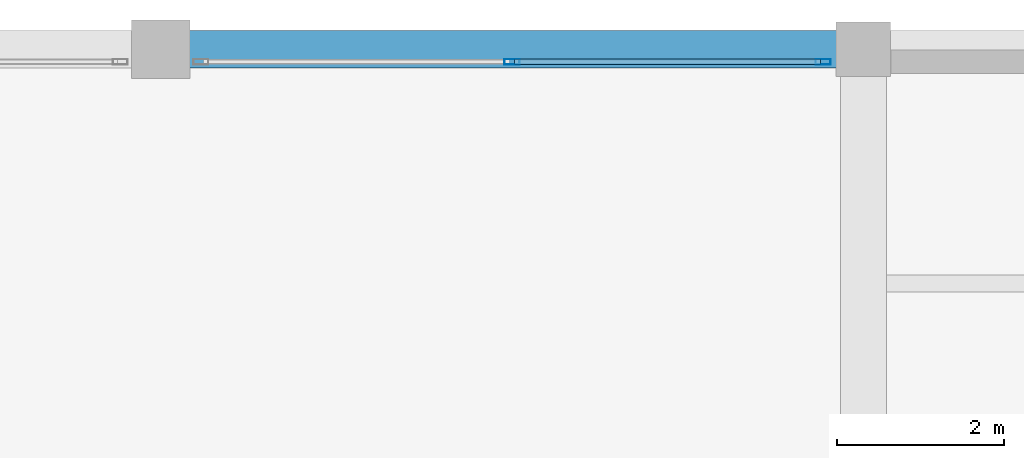
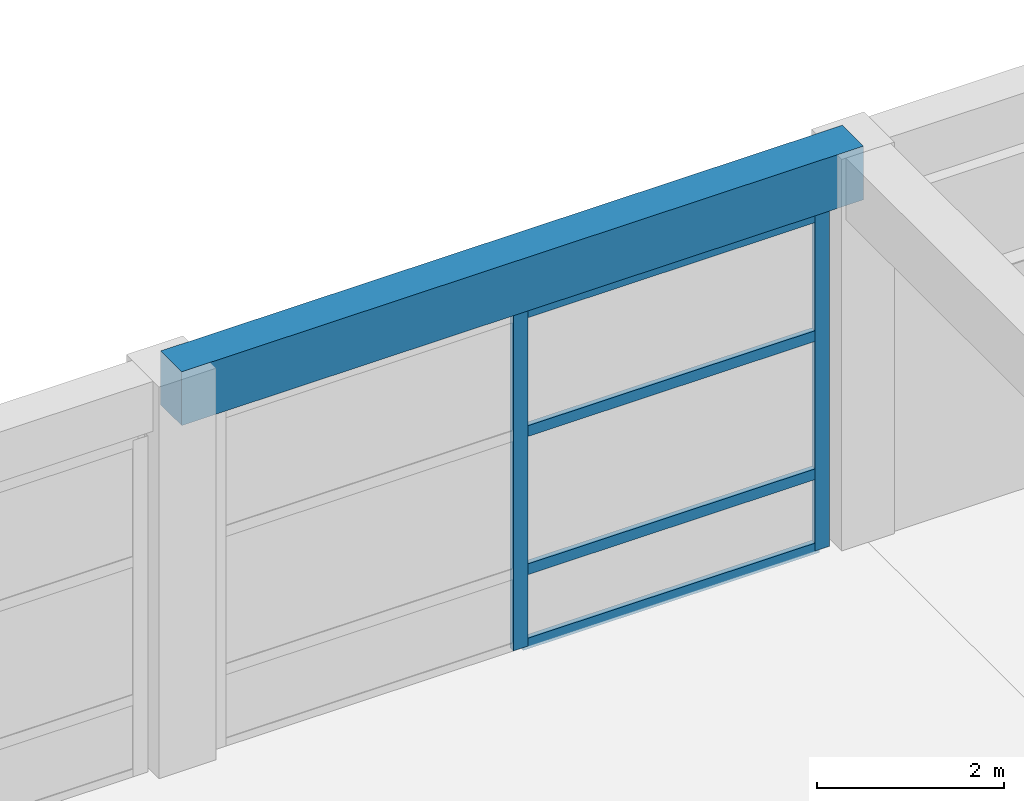
# One storey, part 28 of 65: 6 members, 1 beam, 1 element without a shape of its own.
"""IFC4 building model written with IfcOpenShell, lengths in metres."""

from ifc_helpers import new_model, si_unit, direction, frame, origin, origin_2d, place, context, subcontext, project, spatial, rectangle, hollow_rectangle, extrude, material, material_profile, profile_set, type_object, element, aggregate, save


model = new_model("IFC4")

# Units and contexts
model_context = context("Model", 3, precision=1e-05, world=origin(), true_north=direction((0.0, 1.0)))
body_context = subcontext(model_context, "Body", "Model", "MODEL_VIEW")
ifc_project = project(units=[si_unit("LENGTHUNIT", "METRE"), si_unit("AREAUNIT", "SQUARE_METRE"), si_unit("VOLUMEUNIT", "CUBIC_METRE"), si_unit("PLANEANGLEUNIT", "RADIAN"), si_unit("MASSUNIT", "GRAM", prefix="KILO")], contexts=[model_context])

# Site, building, storey
site_placement = place(None, origin())
site = spatial("IfcSite", under=ifc_project, at=site_placement, CompositionType="ELEMENT")
building_placement = place(site_placement, origin())
building = spatial("IfcBuilding", under=site, at=building_placement, Name="Almacenes y Pasaje Nevantli", CompositionType="ELEMENT")
storey_placement = place(building_placement, frame((0.0, 0.0, 16.800048828125)))
storey = spatial("IfcBuildingStorey", under=building, at=storey_placement, Name="L04", CompositionType="ELEMENT", Elevation=16.800048828125)

# Beam
ifc_material_1 = material(Name="Concrete C35/45", Category="concrete")
ifc_material_profile_1 = material_profile(ifc_material_1, rectangle(XDim=0.449951171875, YDim=0.699951171875, at=origin_2d()), Name="RC-BM-450x700")
ifc_profile_set_1 = profile_set([ifc_material_profile_1], Name="Concrete C35/45")
beam_type = type_object("IfcBeamType", Name="BM-RC-450x700", PredefinedType="SPANDREL", material=ifc_profile_set_1)
beam_placement = place(storey_placement, frame((84.0, 117.60009765625, 4.75), z_axis=(1.0, 0.0, 0.0), x_axis=(0.0, 1.0, 0.0)))
element("IfcBeam", 1, at=beam_placement, inside=storey, type_object=beam_type, Name="L04 East-West Reinforced Concrete Beam #2983", PredefinedType="SPANDREL", context=body_context, shape_type="SweptSolid", body=[
    extrude(rectangle(XDim=0.449951171875, YDim=0.699951171875, at=origin_2d()), origin(), (0.0, 0.0, 1.0), 8.39990234375),
])

# Curtain wall, members
ifc_material_2 = material(Name="Thermally Broken Aluminium and Low-E Glass", Category="aluminium")
curtain_wall_type = type_object("IfcCurtainWallType", Name="CW-STF-ARCADE", PredefinedType="USERDEFINED", material=ifc_material_2)
curtain_wall_placement = place(storey_placement, origin())
curtain_wall = element("IfcCurtainWall", 2, at=curtain_wall_placement, inside=storey, type_object=curtain_wall_type, Name="L04 North Arcade Monumental Portal Curtain Wall Bay 11", ObjectType="STOREFRONT GLAZING", PredefinedType="USERDEFINED")
ifc_material_3 = material(Name="Thermally Broken Anodized Aluminium", Category="aluminium")
ifc_material_profile_2 = material_profile(ifc_material_3, hollow_rectangle(XDim=0.06494140625, YDim=0.179931640625, WallThickness=0.00390625, at=origin_2d()), Name="ALU-MUL-65x180")
ifc_profile_set_2 = profile_set([ifc_material_profile_2], Name="Thermally Broken Anodized Aluminium")
member_type_1 = type_object("IfcMemberType", Name="CW-MUL-200", PredefinedType="MULLION", material=ifc_profile_set_2)
member_1_placement = place(storey_placement, frame((88.199951171875, 117.449951171875, 0.0), z_axis=(0.0, 0.0, 1.0), x_axis=(0.0, 1.0, 0.0)))
member_1 = element("IfcMember", 3, at=member_1_placement, type_object=member_type_1, Name="CW-L04-069 mullion 2", PredefinedType="MULLION", context=body_context, shape_type="SweptSolid", body=[
    extrude(hollow_rectangle(XDim=0.06494140625, YDim=0.179931640625, WallThickness=0.00390625, at=origin_2d()), origin(), (0.0, 0.0, 1.0), 4.3798828125),
])
member_2_placement = place(storey_placement, frame((91.91748046875, 117.449951171875, 0.0), z_axis=(0.0, 0.0, 1.0), x_axis=(0.0, 1.0, 0.0)))
member_2 = element("IfcMember", 4, at=member_2_placement, type_object=member_type_1, Name="CW-L04-069 mullion 3", PredefinedType="MULLION", context=body_context, shape_type="SweptSolid", body=[
    extrude(hollow_rectangle(XDim=0.06494140625, YDim=0.179931640625, WallThickness=0.00390625, at=origin_2d()), origin(), (0.0, 0.0, 1.0), 4.3798828125),
])
ifc_material_4 = material(Name="Thermally Broken Anodized Aluminium", Category="aluminium")
ifc_material_profile_3 = material_profile(ifc_material_4, hollow_rectangle(XDim=0.06494140625, YDim=0.139892578125, WallThickness=0.00390625, at=origin_2d()), Name="ALU-TRN-65x140")
ifc_profile_set_3 = profile_set([ifc_material_profile_3], Name="Thermally Broken Anodized Aluminium")
member_type_2 = type_object("IfcMemberType", Name="CW-TRN-150", PredefinedType="USERDEFINED", material=ifc_profile_set_3)
member_3_placement = place(storey_placement, frame((88.232421875, 117.449951171875, 0.032470703125), z_axis=(1.0, 0.0, 0.0), x_axis=(0.0, 1.0, 0.0)))
member_3 = element("IfcMember", 5, at=member_3_placement, type_object=member_type_2, Name="CW-L04-069 transom 2.1", ObjectType="TRANSOM", PredefinedType="USERDEFINED", context=body_context, shape_type="SweptSolid", body=[
    extrude(hollow_rectangle(XDim=0.06494140625, YDim=0.139892578125, WallThickness=0.00390625, at=origin_2d()), origin(), (0.0, 0.0, 1.0), 3.652587890625),
])
member_4_placement = place(storey_placement, frame((88.232421875, 117.449951171875, 1.0), z_axis=(1.0, 0.0, 0.0), x_axis=(0.0, 1.0, 0.0)))
member_4 = element("IfcMember", 6, at=member_4_placement, type_object=member_type_2, Name="CW-L04-069 transom 2.2", ObjectType="TRANSOM", PredefinedType="USERDEFINED", context=body_context, shape_type="SweptSolid", body=[
    extrude(hollow_rectangle(XDim=0.06494140625, YDim=0.139892578125, WallThickness=0.00390625, at=origin_2d()), origin(), (0.0, 0.0, 1.0), 3.652587890625),
])
member_5_placement = place(storey_placement, frame((88.232421875, 117.449951171875, 2.800048828125), z_axis=(1.0, 0.0, 0.0), x_axis=(0.0, 1.0, 0.0)))
member_5 = element("IfcMember", 7, at=member_5_placement, type_object=member_type_2, Name="CW-L04-069 transom 2.3", ObjectType="TRANSOM", PredefinedType="USERDEFINED", context=body_context, shape_type="SweptSolid", body=[
    extrude(hollow_rectangle(XDim=0.06494140625, YDim=0.139892578125, WallThickness=0.00390625, at=origin_2d()), origin(), (0.0, 0.0, 1.0), 3.652587890625),
])
member_6_placement = place(storey_placement, frame((88.232421875, 117.449951171875, 4.347412109375), z_axis=(1.0, 0.0, 0.0), x_axis=(0.0, 1.0, 0.0)))
member_6 = element("IfcMember", 8, at=member_6_placement, type_object=member_type_2, Name="CW-L04-069 transom 2.4", ObjectType="TRANSOM", PredefinedType="USERDEFINED", context=body_context, shape_type="SweptSolid", body=[
    extrude(hollow_rectangle(XDim=0.06494140625, YDim=0.139892578125, WallThickness=0.00390625, at=origin_2d()), origin(), (0.0, 0.0, 1.0), 3.652587890625),
])
aggregate(curtain_wall, [member_1, member_2, member_3, member_4, member_5, member_6])

save(model, "model.ifc")
